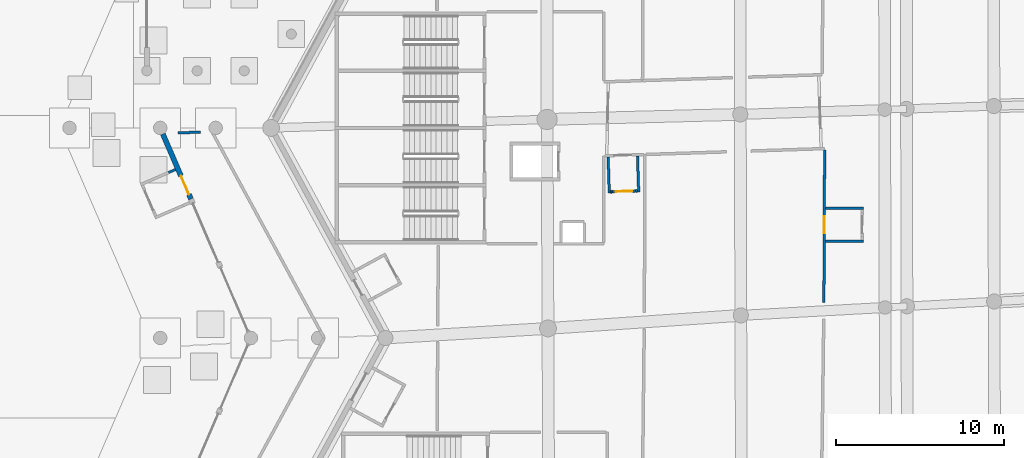
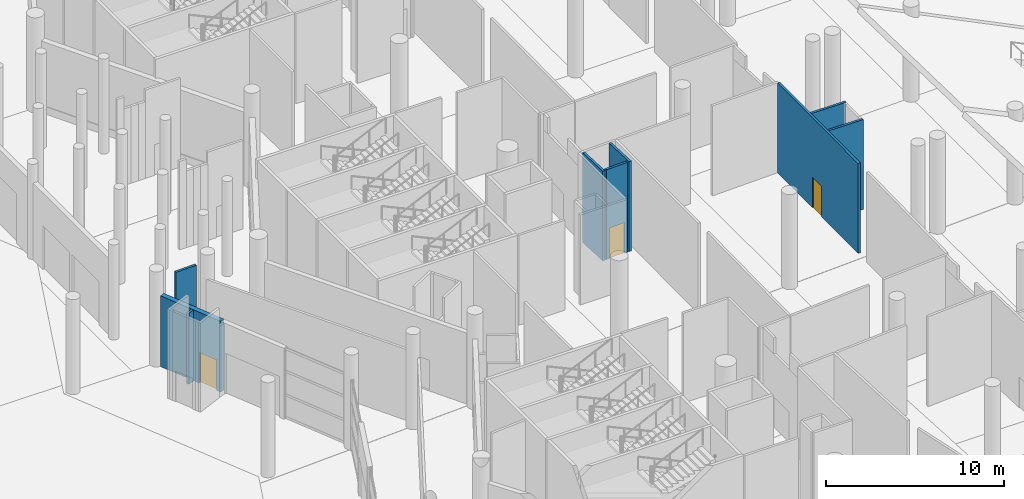
# One storey, part 112 of 255: 11 walls, 3 doors, 3 openings.
"""IFC4 building model written with IfcOpenShell, lengths in metres."""

import ifcopenshell
import ifcopenshell.guid

model = None  # the IFC model being written
_history = None  # IfcOwnerHistory: only IFC2X3 demands one
_inside = {}  # id of a spatial element -> (the spatial element, [elements in it])
_under = {}  # id of a project, library or spatial element -> (it, [spatial elements below it])
_declared = {}  # id of a project -> (the project, [libraries it declares])
_typed = {}  # id of a type object -> (the type object, [elements of that type])
_made_of = {}  # id of a material, layer set ... -> (it, [elements and type objects made of it])


def new_model(schema):
    """Start an empty IFC model of exactly this schema.

    Asked for "IFC4X3", IfcOpenShell would pick the latest addendum, in which some entities
    have other attributes; the version numbers below select the first issue.
    IFC2X3 requires an IfcOwnerHistory on every rooted entity: one is made here for all.
    """
    global model, _history
    if schema == "IFC4X3":
        model = ifcopenshell.file(schema_version=(4, 3, 0, 0))
    else:
        model = ifcopenshell.file(schema=schema)
    _inside.clear()
    _under.clear()
    _declared.clear()
    _typed.clear()
    _made_of.clear()
    _history = None
    if model.schema == "IFC2X3":
        org = make("IfcOrganization", Name="unknown")
        user = make(
            "IfcPersonAndOrganization",
            ThePerson=make("IfcPerson", FamilyName="unknown"),
            TheOrganization=org,
        )
        app = make(
            "IfcApplication",
            ApplicationDeveloper=org,
            Version="unknown",
            ApplicationFullName="unknown",
            ApplicationIdentifier="unknown",
        )
        _history = make(
            "IfcOwnerHistory",
            OwningUser=user,
            OwningApplication=app,
            ChangeAction="ADDED",
            CreationDate=0,
        )
    return model


def make(cls, **values):
    """One entity of the class cls with the attributes given. An attribute that is None is left unset."""
    return model.create_entity(
        cls, **{name: value for name, value in values.items() if value is not None}
    )


def rooted(cls, **values):
    """An entity with a GlobalId (a new one), such as an element, a storey or a relation."""
    return make(cls, GlobalId=ifcopenshell.guid.new(), OwnerHistory=_history, **values)


def si_unit(unit_type, name, prefix=None):
    """IfcSIUnit, for example si_unit("LENGTHUNIT", "METRE", prefix="MILLI")."""
    return make("IfcSIUnit", UnitType=unit_type, Prefix=prefix, Name=name)


def assignment(units):
    """IfcUnitAssignment: the units of a project."""
    return None if units is None else make("IfcUnitAssignment", Units=units)


def point(xyz):
    """IfcCartesianPoint."""
    return None if xyz is None else make("IfcCartesianPoint", Coordinates=xyz)


def direction(xyz):
    """IfcDirection."""
    return None if xyz is None else make("IfcDirection", DirectionRatios=xyz)


def frame(location, z_axis=None, x_axis=None):
    """IfcAxis2Placement3D, a coordinate frame: its origin and axes. An axis left out is left unset."""
    return make(
        "IfcAxis2Placement3D",
        Location=point(location),
        Axis=direction(z_axis),
        RefDirection=direction(x_axis),
    )


def frame_2d(location, x_axis=None):
    """IfcAxis2Placement2D, a coordinate frame in the plane: its origin and x axis."""
    return make(
        "IfcAxis2Placement2D", Location=point(location), RefDirection=direction(x_axis)
    )


def origin():
    """The frame at (0, 0, 0) with its axes left unset."""
    return frame((0.0, 0.0, 0.0))


def place(relative_to, where):
    """IfcLocalPlacement: puts the frame where relative to a parent placement (None: the world)."""
    return make(
        "IfcLocalPlacement", PlacementRelTo=relative_to, RelativePlacement=where
    )


def context(
    kind, dimensions, precision=None, world=None, true_north=None, identifier=None
):
    """IfcGeometricRepresentationContext, for example the 3D "Model" context."""
    return make(
        "IfcGeometricRepresentationContext",
        ContextIdentifier=identifier,
        ContextType=kind,
        CoordinateSpaceDimension=dimensions,
        Precision=precision,
        WorldCoordinateSystem=world,
        TrueNorth=true_north,
    )


def subcontext(parent, identifier, kind, view, scale=None):
    """IfcGeometricRepresentationSubContext, for example "Body" below "Model"."""
    return make(
        "IfcGeometricRepresentationSubContext",
        ContextIdentifier=identifier,
        ContextType=kind,
        ParentContext=parent,
        TargetScale=scale,
        TargetView=view,
    )


def project(units=None, contexts=None):
    """IfcProject with its units and contexts."""
    return rooted(
        "IfcProject",
        Name="project",
        RepresentationContexts=contexts,
        UnitsInContext=assignment(units),
    )


def spatial(cls, under=None, at=None, **own):
    """A site, building, storey or space (cls), placed at a placement, below another one or the project."""
    s = rooted(cls, ObjectPlacement=at, **own)
    if under is not None:
        _under.setdefault(under.id(), (under, []))[1].append(s)
    return s


def profile(cls, at=None, kind="AREA", **sizes):
    """A parametric profile (cls). Its sizes go by their IFC names, for example OverallWidth=200.0."""
    return make(cls, ProfileType=kind, Position=at, **sizes)


def rectangle(**sizes):
    """IfcRectangleProfileDef."""
    return profile("IfcRectangleProfileDef", **sizes)


def extrude(swept, where, along, depth):
    """IfcExtrudedAreaSolid: the profile swept, set in the frame where, extruded along a direction by depth."""
    return make(
        "IfcExtrudedAreaSolid",
        SweptArea=swept,
        Position=where,
        ExtrudedDirection=direction(along),
        Depth=depth,
    )


def shape(context_of_items, identifier, shape_type, items):
    """IfcShapeRepresentation: the items that make up one representation, for example the "Body"."""
    return make(
        "IfcShapeRepresentation",
        ContextOfItems=context_of_items,
        RepresentationIdentifier=identifier,
        RepresentationType=shape_type,
        Items=items,
    )


def material(Name=None, Category=None):
    """IfcMaterial."""
    return make("IfcMaterial", Name=Name, Category=Category)


def layer(
    of_material, thickness, ventilated=None, Name=None, Category=None, Priority=None
):
    """IfcMaterialLayer: one layer of a wall or slab, of a material (None: an air gap)."""
    return make(
        "IfcMaterialLayer",
        Material=of_material,
        LayerThickness=thickness,
        IsVentilated=ventilated,
        Name=Name,
        Category=Category,
        Priority=Priority,
    )


def layer_set(layers, Name=None):
    """IfcMaterialLayerSet."""
    return make("IfcMaterialLayerSet", MaterialLayers=layers, LayerSetName=Name)


def made_of(thing, what):
    """Note that an element or type object is made of a material, layer set ...; save() writes the relation."""
    if what is not None:
        _made_of.setdefault(what.id(), (what, []))[1].append(thing)
    return thing


def type_object(cls, material=None, **own):
    """A type object (cls), such as IfcWallType, which elements share."""
    return made_of(rooted(cls, **own), material)


def element(
    cls,
    number,
    at=None,
    inside=None,
    cuts=None,
    type_object=None,
    material=None,
    context=None,
    identifier="Body",
    shape_type=None,
    held_by="IfcProductDefinitionShape",
    body=None,
    shapes=None,
    **own,
):
    """One element of the class cls, such as IfcWall. Its Tag is "e" and its number.

    at: its placement. inside: the storey or other place that contains it. cuts: it is an
    opening in that element (IfcRelVoidsElement). A single representation is given by context,
    identifier, shape_type and body (its items); several are given by shapes. held_by: the class
    of the entity that holds the representations. save() writes the other relations.
    """
    e = rooted(cls, Tag="e%d" % number, ObjectPlacement=at, **own)
    if body is not None:
        shapes = [shape(context, identifier, shape_type, body)]
    if shapes is not None:
        e.Representation = make(held_by, Representations=shapes)
    if inside is not None:
        _inside.setdefault(inside.id(), (inside, []))[1].append(e)
    if cuts is not None:
        rooted(
            "IfcRelVoidsElement", RelatingBuildingElement=cuts, RelatedOpeningElement=e
        )
    if type_object is not None:
        _typed.setdefault(type_object.id(), (type_object, []))[1].append(e)
    return made_of(e, material)


def fill(opening, filler):
    """IfcRelFillsElement: the door or window that sits in an opening."""
    return rooted(
        "IfcRelFillsElement",
        RelatingOpeningElement=opening,
        RelatedBuildingElement=filler,
    )


def aggregate(whole, parts):
    """IfcRelAggregates: a whole, such as a stair, and the parts it consists of."""
    return rooted("IfcRelAggregates", RelatingObject=whole, RelatedObjects=parts)


def save(model, path):
    """Write the relations noted so far, then the file.

    IfcRelAggregates (storeys below a building ...), IfcRelContainedInSpatialStructure (elements
    in a storey), IfcRelDefinesByType, IfcRelAssociatesMaterial and IfcRelDeclares: one each for
    every whole, place, type object, material and project.
    """
    for whole, parts in _under.values():
        aggregate(whole, parts)
    for where, things in _inside.values():
        rooted(
            "IfcRelContainedInSpatialStructure",
            RelatedElements=things,
            RelatingStructure=where,
        )
    for kind, things in _typed.values():
        rooted("IfcRelDefinesByType", RelatedObjects=things, RelatingType=kind)
    for what, things in _made_of.values():
        rooted("IfcRelAssociatesMaterial", RelatedObjects=things, RelatingMaterial=what)
    for by, libraries in _declared.values():
        rooted("IfcRelDeclares", RelatingContext=by, RelatedDefinitions=libraries)
    model.write(path)


model = new_model("IFC4")

# Units and contexts
model_context = context("Model", 3, precision=1e-05, world=origin(), true_north=direction((0.0, 1.0)))
body_context = subcontext(model_context, "Body", "Model", "MODEL_VIEW")
ifc_project = project(units=[si_unit("LENGTHUNIT", "METRE"), si_unit("AREAUNIT", "SQUARE_METRE"), si_unit("VOLUMEUNIT", "CUBIC_METRE"), si_unit("PLANEANGLEUNIT", "RADIAN"), si_unit("MASSUNIT", "GRAM", prefix="KILO")], contexts=[model_context])

# Site, building, storey
site_placement = place(None, origin())
site = spatial("IfcSite", under=ifc_project, at=site_placement, CompositionType="ELEMENT")
building_placement = place(site_placement, origin())
building = spatial("IfcBuilding", under=site, at=building_placement, Name="Meseta Stadium", CompositionType="ELEMENT")
storey_placement = place(building_placement, origin())
storey = spatial("IfcBuildingStorey", under=building, at=storey_placement, Name="L00", CompositionType="ELEMENT", Elevation=0.0)

# Wall, opening, door
ifc_material_1 = material(Name="Masonry blockwork", Category="masonry")
ifc_layer_1 = layer(ifc_material_1, 0.14990234375)
ifc_layer_set_1 = layer_set([ifc_layer_1], Name="Partition 150")
wall_type_1 = type_object("IfcWallType", Name="Partition 150", PredefinedType="PARTITIONING", material=ifc_layer_set_1)
wall_1_placement = place(storey_placement, frame((-68.463134765625, -20.0546875, 0.0), z_axis=(0.0, 0.0, 1.0), x_axis=(-0.004750858989, -0.999988714606, 0.0)))
wall_1 = element("IfcWall", 1, at=wall_1_placement, inside=storey, type_object=wall_type_1, Name="Partition L00 L00-cell17-1-0", PredefinedType="PARTITIONING", context=body_context, shape_type="SweptSolid", body=[
    extrude(rectangle(XDim=9.095703125, YDim=0.14990234375, at=frame_2d((4.5478515625, 0.0))), origin(), (0.0, 0.0, 1.0), 6.14990234375),
])
opening_1_placement = place(wall_1_placement, frame((3.949951171875, 0.0, 0.0)))
opening_1 = element("IfcOpeningElement", 2, at=opening_1_placement, cuts=wall_1, Name="Opening D586", PredefinedType="OPENING", context=body_context, shape_type="SweptSolid", body=[
    extrude(rectangle(XDim=1.0, YDim=2.10009765625, at=frame_2d((0.5, 1.050048828125))), frame((0.0, 0.0849609375, 0.0), z_axis=(0.0, -1.0, 0.0), x_axis=(1.0, 0.0, 0.0)), (0.0, 0.0, 1.0), 0.169921875),
])
ifc_material_2 = material(Name="Steel", Category="steel")
door_type_1 = type_object("IfcDoorType", Name="Fire door 1000x2100 EI2 60", OperationType="NOTDEFINED", PredefinedType="DOOR", material=ifc_material_2)
door_1_placement = place(opening_1_placement, origin())
door_1 = element("IfcDoor", 3, at=door_1_placement, inside=storey, type_object=door_type_1, Name="Door D586", OperationType="SINGLE_SWING_LEFT", OverallHeight=2.10009765625, OverallWidth=1.0, PredefinedType="DOOR", context=body_context, shape_type="SweptSolid", body=[
    extrude(rectangle(XDim=1.0, YDim=2.10009765625, at=frame_2d((0.5, 1.050048828125))), frame((0.0, 0.02490234375, 0.0), z_axis=(0.0, -1.0, 0.0), x_axis=(1.0, 0.0, 0.0)), (0.0, 0.0, 1.0), 0.050048828125),
])
fill(opening_1, door_1)

# Walls
wall_2_placement = place(storey_placement, frame((-106.947021484375, -19.044189453125, 0.0), z_axis=(0.0, 0.0, 1.0), x_axis=(0.999462261946, 0.032790043395, 0.0)))
element("IfcWall", 4, at=wall_2_placement, inside=storey, type_object=wall_type_1, Name="Partition L00 L00-ring17-0", PredefinedType="PARTITIONING", context=body_context, shape_type="SweptSolid", body=[
    extrude(rectangle(XDim=1.34765625, YDim=0.14990234375, at=frame_2d((0.673828125, 0.0))), origin(), (0.0, 0.0, 1.0), 6.050048828125),
])
for number, where, z_axis, x_axis, name in (
    (5, (-68.404541015625, -23.52978515625, 0.0), (0.0, 0.0, 1.0), (0.999988600724, -0.004774769228, 0.0), "Partition L00 L00-cell17-1-0 vestibule"),
    (6, (-68.413818359375, -25.47998046875, 0.0), (0.0, 0.0, 1.0), (0.999989112977, -0.004666254135, 0.0), "Partition L00 L00-cell17-1-0 vestibule"),
):
    element("IfcWall", number, at=place(storey_placement, frame(where, z_axis=z_axis, x_axis=x_axis)), inside=storey, type_object=wall_type_1, Name=name, PredefinedType="PARTITIONING", context=body_context, shape_type="SweptSolid", body=[
        extrude(rectangle(XDim=2.249755859375, YDim=0.14990234375, at=frame_2d((1.125, 0.0))), origin(), (0.0, 0.0, 1.0), 6.14990234375),
    ])
wall_3_placement = place(storey_placement, frame((-81.34765625, -20.478515625, 0.0), z_axis=(0.0, 0.0, 1.0), x_axis=(0.032819488058, -0.999461295501, 0.0)))
element("IfcWall", 7, at=wall_3_placement, inside=storey, type_object=wall_type_1, Name="Partition L00 L00-cell17-2-0 vestibule", PredefinedType="PARTITIONING", context=body_context, shape_type="SweptSolid", body=[
    extrude(rectangle(XDim=2.14990234375, YDim=0.14990234375, at=frame_2d((1.074951171875, 0.0))), origin(), (0.0, 0.0, 1.0), 6.14990234375),
])
wall_4_placement = place(storey_placement, frame((-79.5986328125, -20.4208984375, 0.0), z_axis=(0.0, 0.0, 1.0), x_axis=(0.032929189875, -0.999457687175, 0.0)))
element("IfcWall", 8, at=wall_4_placement, inside=storey, type_object=wall_type_1, Name="Partition L00 L00-cell17-2-0 vestibule", PredefinedType="PARTITIONING", context=body_context, shape_type="SweptSolid", body=[
    extrude(rectangle(XDim=2.150146484375, YDim=0.14990234375, at=frame_2d((1.0751953125, 0.0))), origin(), (0.0, 0.0, 1.0), 6.14990234375),
])
wall_5_placement = place(storey_placement, frame((-81.20458984375, -22.5498046875, 0.0), z_axis=(0.0, 0.0, 1.0), x_axis=(0.999417522997, 0.034126452005, 0.0)))
element("IfcWall", 9, at=wall_5_placement, inside=storey, type_object=wall_type_1, Name="Partition L00 L00-cell17-2-0 vestibule", PredefinedType="PARTITIONING", context=body_context, shape_type="SweptSolid", body=[
    extrude(rectangle(XDim=0.10009765625, YDim=0.14990234375, at=frame_2d((0.050048828125, 0.0))), origin(), (0.0, 0.0, 1.0), 6.14990234375),
])

# Wall, opening, door
wall_6_placement = place(storey_placement, frame((-81.1044921875, -22.54638671875, 0.0), z_axis=(0.0, 0.0, 1.0), x_axis=(0.999462381074, 0.032786412082, 0.0)))
wall_6 = element("IfcWall", 10, at=wall_6_placement, inside=storey, type_object=wall_type_1, Name="Partition L00 L00-cell17-2-0 vestibule", PredefinedType="PARTITIONING", context=body_context, shape_type="SweptSolid", body=[
    extrude(rectangle(XDim=1.39990234375, YDim=0.14990234375, at=frame_2d((0.699951171875, 0.0))), origin(), (0.0, 0.0, 1.0), 6.14990234375),
])
opening_2_placement = place(wall_6_placement, frame((0.199951171875, 0.0, 0.0)))
opening_2 = element("IfcOpeningElement", 11, at=opening_2_placement, cuts=wall_6, Name="Opening D851", PredefinedType="OPENING", context=body_context, shape_type="SweptSolid", body=[
    extrude(rectangle(XDim=1.0, YDim=2.10009765625, at=frame_2d((0.5, 1.050048828125))), frame((0.0, 0.0849609375, 0.0), z_axis=(0.0, -1.0, 0.0), x_axis=(1.0, 0.0, 0.0)), (0.0, 0.0, 1.0), 0.169921875),
])
door_2_placement = place(opening_2_placement, origin())
door_2 = element("IfcDoor", 12, at=door_2_placement, inside=storey, type_object=door_type_1, Name="Vestibule door L00 L00-cell17-2-0", OperationType="SINGLE_SWING_RIGHT", OverallHeight=2.10009765625, OverallWidth=1.0, PredefinedType="DOOR", context=body_context, shape_type="SweptSolid", body=[
    extrude(rectangle(XDim=1.0, YDim=2.10009765625, at=frame_2d((0.5, 1.050048828125))), frame((0.0, 0.02490234375, 0.0), z_axis=(0.0, -1.0, 0.0), x_axis=(1.0, 0.0, 0.0)), (0.0, 0.0, 1.0), 0.050048828125),
])
fill(opening_2, door_2)

# Walls
wall_7_placement = place(storey_placement, frame((-79.705322265625, -22.50048828125, 0.0), z_axis=(0.0, 0.0, 1.0), x_axis=(0.999495244364, 0.031768797498, 0.0)))
element("IfcWall", 13, at=wall_7_placement, inside=storey, type_object=wall_type_1, Name="Partition L00 L00-cell17-2-0 vestibule", PredefinedType="PARTITIONING", context=body_context, shape_type="SweptSolid", body=[
    extrude(rectangle(XDim=0.099853515625, YDim=0.14990234375, at=frame_2d((0.0498046875, 0.0))), origin(), (0.0, 0.0, 1.0), 6.14990234375),
])
wall_8_placement = place(storey_placement, frame((-107.093505859375, -21.226806640625, 0.0), z_axis=(0.0, 0.0, 1.0), x_axis=(-0.91799053418, -0.396602293431, 0.0)))
element("IfcWall", 14, at=wall_8_placement, inside=storey, type_object=wall_type_1, Name="Partition L00 L00-ring17-0 vestibule", PredefinedType="PARTITIONING", context=body_context, shape_type="SweptSolid", body=[
    extrude(rectangle(XDim=0.449951171875, YDim=0.14990234375, at=frame_2d((0.22509765625, 0.0))), origin(), (0.0, 0.0, 1.0), 4.85009765625),
])

# Wall, opening, door
ifc_material_3 = material(Name="Precast concrete C40/50", Category="concrete")
ifc_layer_2 = layer(ifc_material_3, 0.300048828125)
ifc_layer_set_2 = layer_set([ifc_layer_2], Name="Ring facade panel wall 300")
wall_type_2 = type_object("IfcWallType", Name="Ring facade panel wall 300", PredefinedType="SOLIDWALL", material=ifc_layer_set_2)
wall_9_placement = place(storey_placement, frame((-106.172607421875, -22.98046875, 0.0), z_axis=(0.0, 0.0, 1.0), x_axis=(-0.396529362849, 0.918022039168, 0.0)))
wall_9 = element("IfcWall", 15, at=wall_9_placement, inside=storey, type_object=wall_type_2, Name="Ring store panel wall F34a", PredefinedType="SOLIDWALL", context=body_context, shape_type="SweptSolid", body=[
    extrude(rectangle(XDim=4.208251953125, YDim=0.300048828125, at=frame_2d((2.10400390625, 0.0))), origin(), (0.0, 0.0, 1.0), 4.85009765625),
])
opening_3_placement = place(wall_9_placement, frame((0.300048828125, 0.0, 0.0)))
opening_3 = element("IfcOpeningElement", 16, at=opening_3_placement, cuts=wall_9, Name="Opening D629", PredefinedType="OPENING", context=body_context, shape_type="SweptSolid", body=[
    extrude(rectangle(XDim=1.199951171875, YDim=2.10009765625, at=frame_2d((0.60009765625, 1.050048828125))), frame((0.0, 0.159912109375, 0.0), z_axis=(0.0, -1.0, 0.0), x_axis=(1.0, 0.0, 0.0)), (0.0, 0.0, 1.0), 0.320068359375),
])
ifc_material_4 = material(Name="Steel", Category="steel")
door_type_2 = type_object("IfcDoorType", Name="Fire door 1200x2100 EI2 60", OperationType="NOTDEFINED", PredefinedType="DOOR", material=ifc_material_4)
door_3_placement = place(opening_3_placement, origin())
door_3 = element("IfcDoor", 17, at=door_3_placement, inside=storey, type_object=door_type_2, Name="Door D629", OperationType="SINGLE_SWING_LEFT", OverallHeight=2.10009765625, OverallWidth=1.199951171875, PredefinedType="DOOR", context=body_context, shape_type="SweptSolid", body=[
    extrude(rectangle(XDim=1.199951171875, YDim=2.10009765625, at=frame_2d((0.60009765625, 1.050048828125))), frame((0.0, 0.02490234375, 0.0), z_axis=(0.0, -1.0, 0.0), x_axis=(1.0, 0.0, 0.0)), (0.0, 0.0, 1.0), 0.050048828125),
])
fill(opening_3, door_3)

save(model, "model.ifc")
